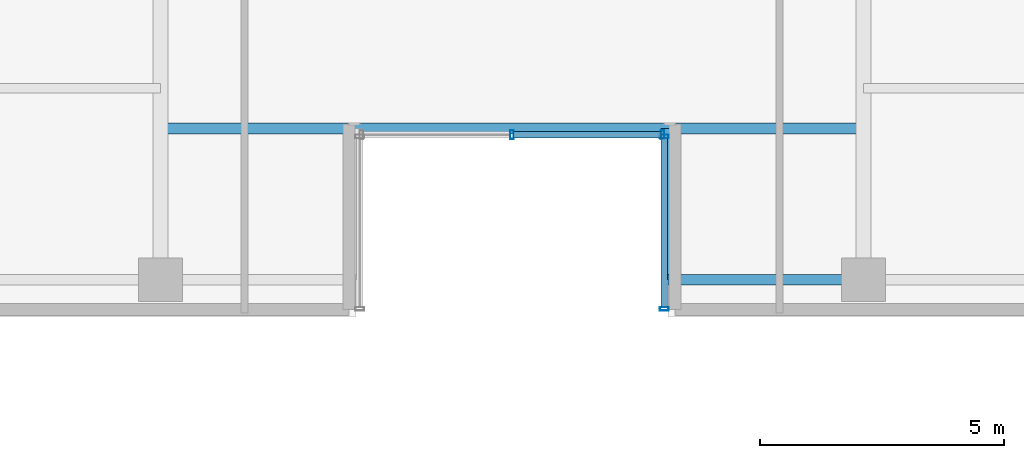
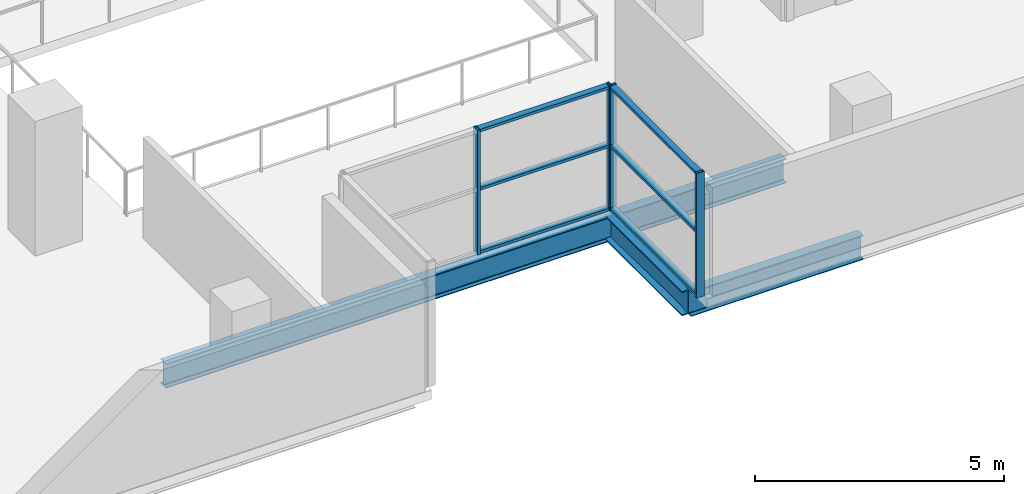
# One storey, part 12 of 29: 10 members, 3 beams, 2 elements without a shape of their own.
"""IFC4 building model written with IfcOpenShell, lengths in metres."""

from ifc_helpers import new_model, si_unit, direction, frame, origin, origin_2d, place, context, subcontext, project, spatial, hollow_rectangle, i_section, extrude, source, transform, mapped, material, layer, layer_set, material_profile, profile_set, type_object, element, aggregate, save


model = new_model("IFC4")

# Units and contexts
model_context = context("Model", 3, precision=1e-05, world=origin(), true_north=direction((0.0, 1.0)))
body_context = subcontext(model_context, "Body", "Model", "MODEL_VIEW")
ifc_project = project(units=[si_unit("LENGTHUNIT", "METRE"), si_unit("AREAUNIT", "SQUARE_METRE"), si_unit("VOLUMEUNIT", "CUBIC_METRE"), si_unit("PLANEANGLEUNIT", "RADIAN"), si_unit("MASSUNIT", "GRAM", prefix="KILO")], contexts=[model_context])

# Site, building, storey
site_placement = place(None, origin())
site = spatial("IfcSite", under=ifc_project, at=site_placement, CompositionType="ELEMENT")
building_placement = place(site_placement, origin())
building = spatial("IfcBuilding", under=site, at=building_placement, Name="Zarnakvel Exchange Tower", CompositionType="ELEMENT")
storey_placement = place(building_placement, frame((0.0, 0.0, 37.300048828125)))
storey = spatial("IfcBuildingStorey", under=building, at=storey_placement, Name="L09", CompositionType="ELEMENT", Elevation=37.300048828125)

# Beams
ifc_material_1 = material(Name="Steel S355", Category="steel")
ifc_material_profile_1 = material_profile(ifc_material_1, i_section(OverallWidth=0.300048828125, OverallDepth=0.60009765625, WebThickness=0.015380859375, FlangeThickness=0.030029296875, FilletRadius=0.027099609375, at=origin_2d()))
ifc_profile_set_1 = profile_set([ifc_material_profile_1], Name="Steel S355")
beam_type_1 = type_object("IfcBeamType", Name="G-04", PredefinedType="BEAM", material=ifc_profile_set_1)
beam_1_placement = place(storey_placement, frame((3.199951171875, -17.449951171875, -0.525146484375), z_axis=(0.0, 1.0, 0.0), x_axis=(-1.0, 0.0, 0.0)))
element("IfcBeam", 1, at=beam_1_placement, inside=storey, type_object=beam_type_1, Name="L09 South Slot East Cheek Beam", PredefinedType="BEAM", context=body_context, shape_type="SweptSolid", body=[
    extrude(i_section(OverallWidth=0.300048828125, OverallDepth=0.60009765625, WebThickness=0.015380859375, FlangeThickness=0.030029296875, FilletRadius=0.027099609375, at=origin_2d()), origin(), (0.0, 0.0, 1.0), 3.099853515625),
])
ifc_material_profile_2 = material_profile(ifc_material_1, i_section(OverallWidth=0.219970703125, OverallDepth=0.60009765625, WebThickness=0.011962890625, FlangeThickness=0.01904296875, FilletRadius=0.02392578125, at=origin_2d()))
ifc_profile_set_2 = profile_set([ifc_material_profile_2], Name="Steel S355")
beam_type_2 = type_object("IfcBeamType", Name="SP-01", PredefinedType="SPANDREL", material=ifc_profile_set_2)
beam_2_placement = place(storey_placement, frame((3.199951171875, -17.449951171875, -0.525146484375), z_axis=(1.0, 0.0, 0.0), x_axis=(0.0, 1.0, 0.0)))
element("IfcBeam", 2, at=beam_2_placement, inside=storey, type_object=beam_type_2, Name="L09 South Slot East Jamb Spandrel", PredefinedType="SPANDREL", context=body_context, shape_type="SweptSolid", body=[
    extrude(i_section(OverallWidth=0.219970703125, OverallDepth=0.60009765625, WebThickness=0.011962890625, FlangeThickness=0.01904296875, FilletRadius=0.02392578125, at=origin_2d()), origin(), (0.0, 0.0, 1.0), 4.0),
])
beam_3_placement = place(storey_placement, frame((-7.199951171875, -14.35009765625, -0.525146484375), z_axis=(1.0, 0.0, 0.0), x_axis=(0.0, 1.0, 0.0)))
element("IfcBeam", 3, at=beam_3_placement, inside=storey, type_object=beam_type_2, Name="L09 South Slot Head Trimmer Girder", PredefinedType="SPANDREL", context=body_context, shape_type="SweptSolid", body=[
    extrude(i_section(OverallWidth=0.219970703125, OverallDepth=0.60009765625, WebThickness=0.011962890625, FlangeThickness=0.01904296875, FilletRadius=0.02392578125, at=origin_2d()), origin(), (0.0, 0.0, 1.0), 14.39990234375),
])

# Curtain wall, members
ifc_material_2 = material(Name="Architectural Bronze Anodised Aluminium", Category="aluminium")
ifc_layer = layer(ifc_material_2, 0.179931640625)
ifc_layer_set = layer_set([ifc_layer], Name="Architectural Bronze Anodised Aluminium")
curtain_wall_type = type_object("IfcCurtainWallType", Name="CW-05", PredefinedType="NOTDEFINED", material=ifc_layer_set)
curtain_wall_1_placement = place(storey_placement, origin())
curtain_wall_1 = element("IfcCurtainWall", 4, at=curtain_wall_1_placement, inside=storey, type_object=curtain_wall_type, Name="L09 Curtain Wall CW-L09-SLE (CW-05)", PredefinedType="NOTDEFINED")
ifc_material_profile_3 = material_profile(ifc_material_2, hollow_rectangle(XDim=0.139892578125, YDim=0.070068359375, WallThickness=0.00390625, at=origin_2d()))
ifc_profile_set_3 = profile_set([ifc_material_profile_3], Name="Architectural Bronze Anodised Aluminium")
member_type_1 = type_object("IfcMemberType", Name="CWT-05", PredefinedType="USERDEFINED", material=ifc_profile_set_3)
shared_shape_1 = source(origin(), body_context, "Body", "SweptSolid", [
    extrude(hollow_rectangle(XDim=0.139892578125, YDim=0.070068359375, WallThickness=0.00390625, at=origin_2d()), origin(), (0.0, 0.0, 1.0), 3.4599609375),
])
member_1_placement = place(storey_placement, frame((3.1201171875, -14.550048828125, 0.034912109375), z_axis=(0.0, -1.0, 0.0), x_axis=(1.0, 0.0, 0.0)))
member_1 = element("IfcMember", 5, at=member_1_placement, type_object=member_type_1, Name="CW-05 transom 1.1", ObjectType="TRANSOM", PredefinedType="USERDEFINED", context=body_context, shape_type="MappedRepresentation", body=[
    mapped(shared_shape_1, transform((0.0, 0.0, 0.0), x_axis=(1.0, 0.0, 0.0), y_axis=(0.0, 1.0, 0.0), z_axis=(0.0, 0.0, 1.0), scale=1.0)),
])
member_2_placement = place(storey_placement, frame((3.1201171875, -14.550048828125, 1.588623046875), z_axis=(0.0, -1.0, 0.0), x_axis=(1.0, 0.0, 0.0)))
member_2 = element("IfcMember", 6, at=member_2_placement, type_object=member_type_1, Name="CW-05 transom 1.2", ObjectType="TRANSOM", PredefinedType="USERDEFINED", context=body_context, shape_type="MappedRepresentation", body=[
    mapped(shared_shape_1, transform((0.0, 0.0, 0.0), x_axis=(1.0, 0.0, 0.0), y_axis=(0.0, 1.0, 0.0), z_axis=(0.0, 0.0, 1.0), scale=1.0)),
])
member_3_placement = place(storey_placement, frame((3.1201171875, -14.550048828125, 3.02001953125), z_axis=(0.0, -1.0, 0.0), x_axis=(1.0, 0.0, 0.0)))
member_3 = element("IfcMember", 7, at=member_3_placement, type_object=member_type_1, Name="CW-05 transom 1.3", ObjectType="TRANSOM", PredefinedType="USERDEFINED", context=body_context, shape_type="MappedRepresentation", body=[
    mapped(shared_shape_1, transform((0.0, 0.0, 0.0), x_axis=(1.0, 0.0, 0.0), y_axis=(0.0, 1.0, 0.0), z_axis=(0.0, 0.0, 1.0), scale=1.0)),
])

curtain_wall_2_placement = place(storey_placement, origin())
curtain_wall_2 = element("IfcCurtainWall", 8, at=curtain_wall_2_placement, inside=storey, type_object=curtain_wall_type, Name="L09 Curtain Wall CW-L09-SLB (CW-05)", PredefinedType="NOTDEFINED")
shared_shape_2 = source(origin(), body_context, "Body", "SweptSolid", [
    extrude(hollow_rectangle(XDim=0.139892578125, YDim=0.070068359375, WallThickness=0.00390625, at=origin_2d()), origin(), (0.0, 0.0, 1.0), 3.01513671875),
])
member_4_placement = place(storey_placement, frame((0.034912109375, -14.47998046875, 0.034912109375), z_axis=(1.0, 0.0, 0.0), x_axis=(0.0, 1.0, 0.0)))
member_4 = element("IfcMember", 9, at=member_4_placement, type_object=member_type_1, Name="CW-05 transom 2.1", ObjectType="TRANSOM", PredefinedType="USERDEFINED", context=body_context, shape_type="MappedRepresentation", body=[
    mapped(shared_shape_2, transform((0.0, 0.0, 0.0), x_axis=(1.0, 0.0, 0.0), y_axis=(0.0, 1.0, 0.0), z_axis=(0.0, 0.0, 1.0), scale=1.0)),
])
member_5_placement = place(storey_placement, frame((0.034912109375, -14.47998046875, 1.588623046875), z_axis=(1.0, 0.0, 0.0), x_axis=(0.0, 1.0, 0.0)))
member_5 = element("IfcMember", 10, at=member_5_placement, type_object=member_type_1, Name="CW-05 transom 2.2", ObjectType="TRANSOM", PredefinedType="USERDEFINED", context=body_context, shape_type="MappedRepresentation", body=[
    mapped(shared_shape_2, transform((0.0, 0.0, 0.0), x_axis=(1.0, 0.0, 0.0), y_axis=(0.0, 1.0, 0.0), z_axis=(0.0, 0.0, 1.0), scale=1.0)),
])
member_6_placement = place(storey_placement, frame((0.034912109375, -14.47998046875, 3.02001953125), z_axis=(1.0, 0.0, 0.0), x_axis=(0.0, 1.0, 0.0)))
member_6 = element("IfcMember", 11, at=member_6_placement, type_object=member_type_1, Name="CW-05 transom 2.3", ObjectType="TRANSOM", PredefinedType="USERDEFINED", context=body_context, shape_type="MappedRepresentation", body=[
    mapped(shared_shape_2, transform((0.0, 0.0, 0.0), x_axis=(1.0, 0.0, 0.0), y_axis=(0.0, 1.0, 0.0), z_axis=(0.0, 0.0, 1.0), scale=1.0)),
])
ifc_material_profile_4 = material_profile(ifc_material_2, hollow_rectangle(XDim=0.179931640625, YDim=0.070068359375, WallThickness=0.00390625, at=origin_2d()))
ifc_profile_set_4 = profile_set([ifc_material_profile_4], Name="Architectural Bronze Anodised Aluminium")
member_type_2 = type_object("IfcMemberType", Name="CWM-05", PredefinedType="MULLION", material=ifc_profile_set_4)
shared_shape_3 = source(origin(), body_context, "Body", "SweptSolid", [
    extrude(hollow_rectangle(XDim=0.179931640625, YDim=0.070068359375, WallThickness=0.00390625, at=origin_2d()), origin(), (0.0, 0.0, 1.0), 3.054931640625),
])
member_7_placement = place(storey_placement, frame((0.0, -14.47998046875, 0.0), z_axis=(0.0, 0.0, 1.0), x_axis=(0.0, 1.0, 0.0)))
member_7 = element("IfcMember", 12, at=member_7_placement, type_object=member_type_2, Name="CW-05 mullion 2", PredefinedType="MULLION", context=body_context, shape_type="MappedRepresentation", body=[
    mapped(shared_shape_3, transform((0.0, 0.0, 0.0), x_axis=(1.0, 0.0, 0.0), y_axis=(0.0, 1.0, 0.0), z_axis=(0.0, 0.0, 1.0), scale=1.0)),
])
member_8_placement = place(storey_placement, frame((3.0849609375, -14.47998046875, 0.0), z_axis=(0.0, 0.0, 1.0), x_axis=(0.0, 1.0, 0.0)))
member_8 = element("IfcMember", 13, at=member_8_placement, type_object=member_type_2, Name="CW-05 mullion 3", PredefinedType="MULLION", context=body_context, shape_type="MappedRepresentation", body=[
    mapped(shared_shape_3, transform((0.0, 0.0, 0.0), x_axis=(1.0, 0.0, 0.0), y_axis=(0.0, 1.0, 0.0), z_axis=(0.0, 0.0, 1.0), scale=1.0)),
])
aggregate(curtain_wall_2, [member_7, member_8, member_4, member_5, member_6])

# Member
member_9_placement = place(storey_placement, frame((3.1201171875, -14.514892578125, 0.0), z_axis=(0.0, 0.0, 1.0), x_axis=(1.0, 0.0, 0.0)))
member_9 = element("IfcMember", 14, at=member_9_placement, type_object=member_type_2, Name="CW-05 mullion 1", PredefinedType="MULLION", context=body_context, shape_type="MappedRepresentation", body=[
    mapped(shared_shape_3, transform((0.0, 0.0, 0.0), x_axis=(1.0, 0.0, 0.0), y_axis=(0.0, 1.0, 0.0), z_axis=(0.0, 0.0, 1.0), scale=1.0)),
])

member_10_placement = place(storey_placement, frame((3.1201171875, -18.044921875, 0.0), z_axis=(0.0, 0.0, 1.0), x_axis=(1.0, 0.0, 0.0)))
member_10 = element("IfcMember", 15, at=member_10_placement, type_object=member_type_2, Name="CW-05 mullion 2", PredefinedType="MULLION", context=body_context, shape_type="MappedRepresentation", body=[
    mapped(shared_shape_3, transform((0.0, 0.0, 0.0), x_axis=(1.0, 0.0, 0.0), y_axis=(0.0, 1.0, 0.0), z_axis=(0.0, 0.0, 1.0), scale=1.0)),
])

aggregate(curtain_wall_1, [member_9, member_10, member_1, member_2, member_3])

save(model, "model.ifc")
